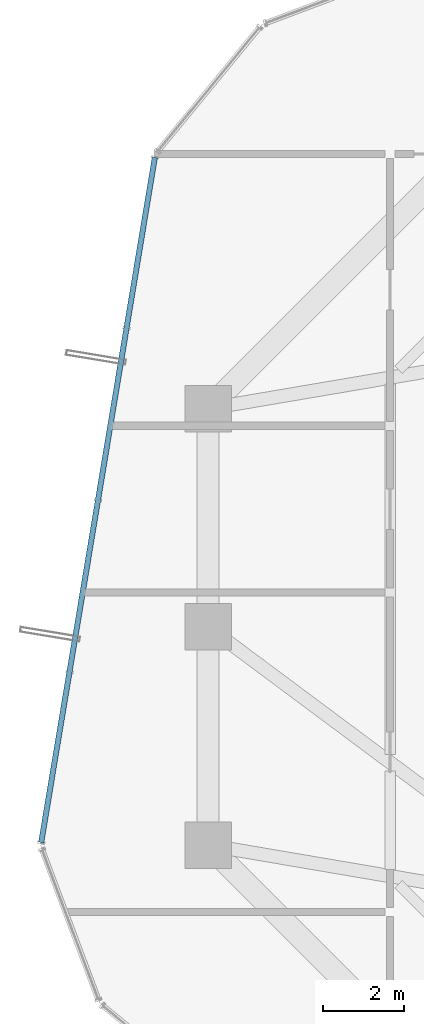
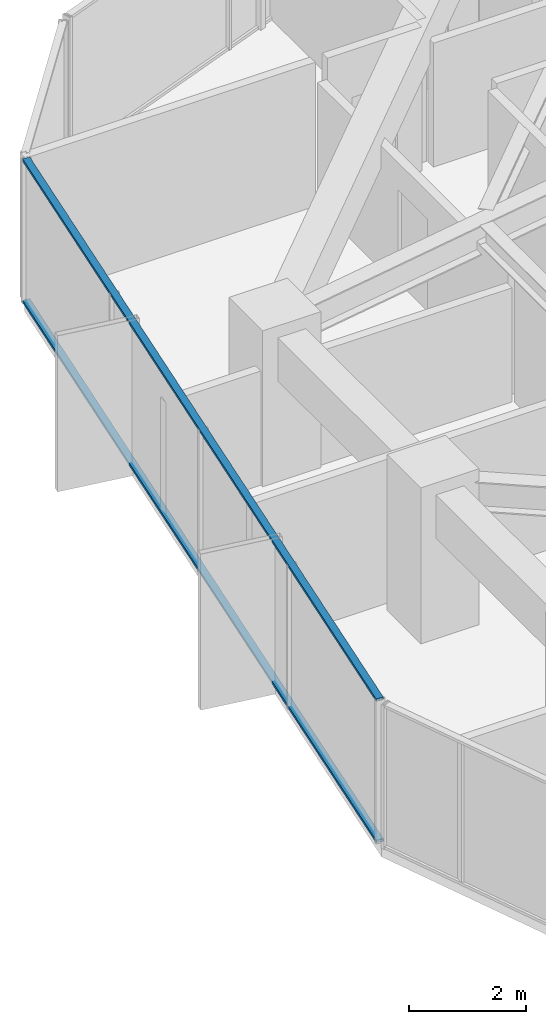
# One storey, part 13 of 30: 2 members, 1 element without a shape of its own.
"""IFC4 building model written with IfcOpenShell, lengths in metres."""

from ifc_helpers import new_model, si_unit, direction, frame, origin, origin_2d, place, context, subcontext, project, spatial, hollow_rectangle, extrude, source, transform, mapped, material, layer, layer_set, material_profile, profile_set, type_object, element, aggregate, save


model = new_model("IFC4")

# Units and contexts
model_context = context("Model", 3, precision=1e-05, world=origin(), true_north=direction((0.0, 1.0)))
body_context = subcontext(model_context, "Body", "Model", "MODEL_VIEW")
ifc_project = project(units=[si_unit("LENGTHUNIT", "METRE"), si_unit("AREAUNIT", "SQUARE_METRE"), si_unit("VOLUMEUNIT", "CUBIC_METRE"), si_unit("PLANEANGLEUNIT", "RADIAN"), si_unit("MASSUNIT", "GRAM", prefix="KILO")], contexts=[model_context])

# Site, building, storey
site_placement = place(None, origin())
site = spatial("IfcSite", under=ifc_project, at=site_placement, CompositionType="ELEMENT")
building_placement = place(site_placement, origin())
building = spatial("IfcBuilding", under=site, at=building_placement, Name="Veraguas Prism Commons", CompositionType="ELEMENT")
storey_placement = place(building_placement, frame((0.0, 0.0, 95.949951171875)))
storey = spatial("IfcBuildingStorey", under=building, at=storey_placement, Name="L26", CompositionType="ELEMENT", Elevation=95.949951171875)

# Curtain wall, members
ifc_material = material(Name="Anodised aluminium EN AW-6063 T6", Category="aluminium")
ifc_layer = layer(ifc_material, 0.169921875, Name="Unitised Flush Curtain Wall Zone 2", Category="aluminium")
ifc_layer_set = layer_set([ifc_layer], Name="Anodised aluminium EN AW-6063 T6")
curtain_wall_type = type_object("IfcCurtainWallType", Name="Unitised Flush Curtain Wall Zone 2", PredefinedType="NOTDEFINED", material=ifc_layer_set)
curtain_wall_placement = place(storey_placement, origin())
curtain_wall = element("IfcCurtainWall", 1, at=curtain_wall_placement, inside=storey, type_object=curtain_wall_type, Name="Tower Facade Curtain Wall L26-F3", PredefinedType="NOTDEFINED")
ifc_material_profile = material_profile(ifc_material, hollow_rectangle(XDim=0.054931640625, YDim=0.135009765625, WallThickness=0.0029296875, at=origin_2d()), Name="AL55X135X3")
ifc_profile_set = profile_set([ifc_material_profile], Name="Anodised aluminium EN AW-6063 T6")
member_type = type_object("IfcMemberType", Name="Curtain Wall Transom Standard AL 55x135x3", PredefinedType="USERDEFINED", material=ifc_profile_set)
shared_shape = source(origin(), body_context, "Body", "SweptSolid", [
    extrude(hollow_rectangle(XDim=0.054931640625, YDim=0.135009765625, WallThickness=0.0029296875, at=origin_2d()), origin(), (0.0, 0.0, 1.0), 17.174560546875),
])
member_1_placement = place(storey_placement, frame((6.481689453125, 35.611083984375, 0.027587890625), z_axis=(-0.163675114669, -0.986514296317, 0.0), x_axis=(0.0, 0.0, 1.0)))
member_1 = element("IfcMember", 2, at=member_1_placement, type_object=member_type, Name="CW-Z2 Transom 1", ObjectType="TRANSOM", PredefinedType="USERDEFINED", context=body_context, shape_type="MappedRepresentation", body=[
    mapped(shared_shape, transform((0.0, 0.0, 0.0), scale=1.0)),
])
member_2_placement = place(storey_placement, frame((6.481689453125, 35.611083984375, 2.97265625), z_axis=(-0.163675114669, -0.986514296317, 0.0), x_axis=(0.0, 0.0, 1.0)))
member_2 = element("IfcMember", 3, at=member_2_placement, type_object=member_type, Name="CW-Z2 Transom 2", ObjectType="TRANSOM", PredefinedType="USERDEFINED", context=body_context, shape_type="MappedRepresentation", body=[
    mapped(shared_shape, transform((0.0, 0.0, 0.0), scale=1.0)),
])
aggregate(curtain_wall, [member_1, member_2])

save(model, "model.ifc")
